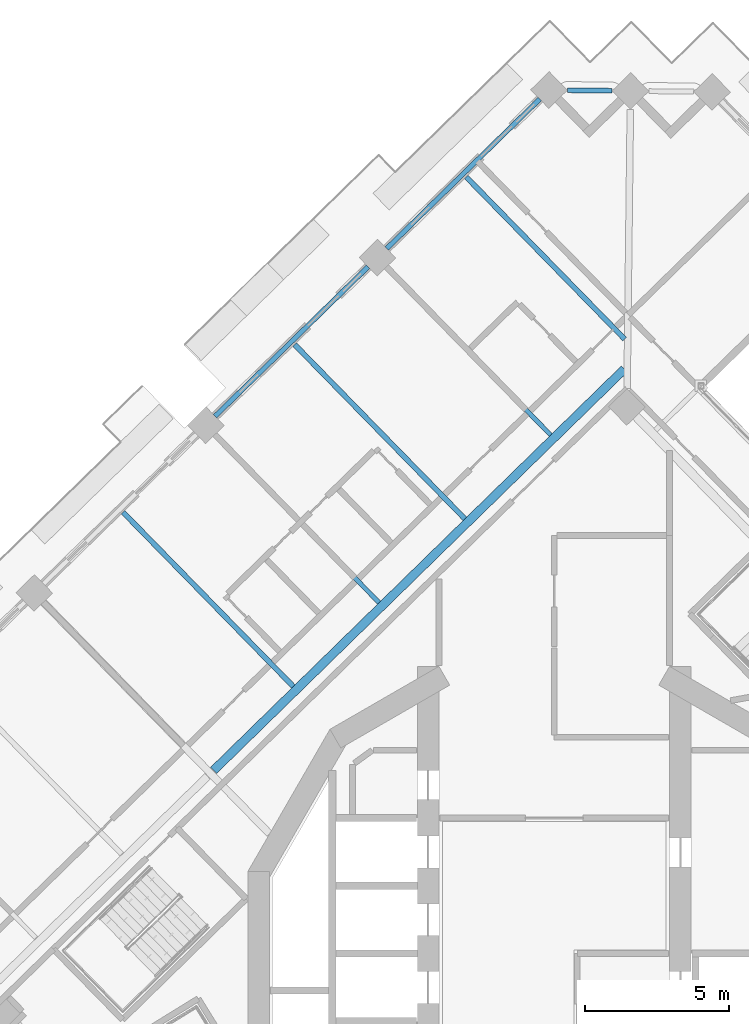
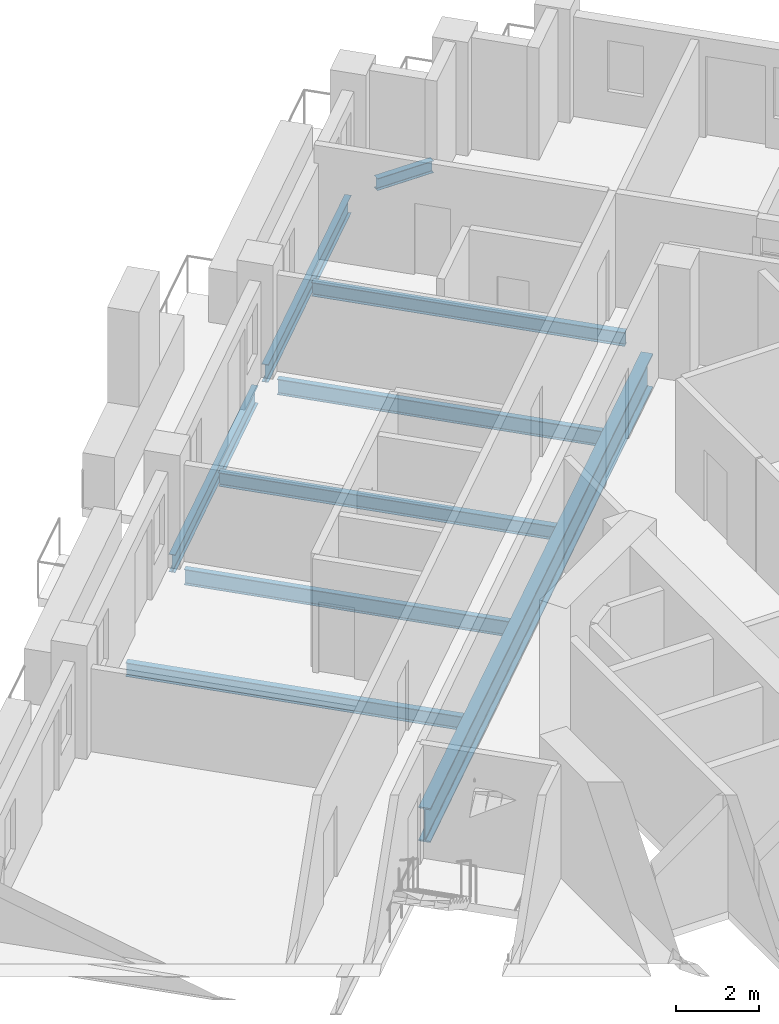
# One storey, part 2 of 20: 9 beams.
"""IFC4 building model written with IfcOpenShell, lengths in metres."""

from ifc_helpers import new_model, si_unit, direction, frame, origin, origin_2d, place, context, subcontext, project, spatial, i_section, extrude, material, material_profile, profile_set, type_object, element, save


model = new_model("IFC4")

# Units and contexts
model_context = context("Model", 3, precision=1e-05, world=origin(), true_north=direction((0.0, 1.0)))
body_context = subcontext(model_context, "Body", "Model", "MODEL_VIEW")
ifc_project = project(units=[si_unit("LENGTHUNIT", "METRE"), si_unit("AREAUNIT", "SQUARE_METRE"), si_unit("VOLUMEUNIT", "CUBIC_METRE"), si_unit("PLANEANGLEUNIT", "RADIAN"), si_unit("MASSUNIT", "GRAM", prefix="KILO")], contexts=[model_context])

# Site, building, storey
site_placement = place(None, origin())
site = spatial("IfcSite", under=ifc_project, at=site_placement, CompositionType="ELEMENT")
building_placement = place(site_placement, origin())
building = spatial("IfcBuilding", under=site, at=building_placement, Name="Cantera Rosa Tower", CompositionType="ELEMENT")
storey_placement = place(building_placement, frame((0.0, 0.0, 212.60009765625)))
storey = spatial("IfcBuildingStorey", under=building, at=storey_placement, Name="L45", CompositionType="ELEMENT", Elevation=212.60009765625)

# Beams
ifc_material_1 = material(Name="Steel ASTM A992 (Fy 345 MPa)", Category="steel")
ifc_material_profile_1 = material_profile(ifc_material_1, i_section(OverallWidth=0.302001953125, OverallDepth=1.010009765625, WebThickness=0.02099609375, FlangeThickness=0.0400390625, FilletRadius=0.030029296875, at=origin_2d()), Name="W1000X350")
ifc_profile_set_1 = profile_set([ifc_material_profile_1], Name="Steel ASTM A992 (Fy 345 MPa)")
beam_type_1 = type_object("IfcBeamType", Name="STEEL BEAM W1000X350", PredefinedType="BEAM", material=ifc_profile_set_1)
beam_1_placement = place(storey_placement, frame((-11.813232421875, 6.353271484375, -0.755126953125), z_axis=(0.715280810147, 0.698837150297, 0.0), x_axis=(-0.698837150297, 0.715280810147, 0.0)))
element("IfcBeam", 1, at=beam_1_placement, inside=storey, type_object=beam_type_1, Name="RB-Z4-02 L45", PredefinedType="BEAM", context=body_context, shape_type="SweptSolid", body=[
    extrude(i_section(OverallWidth=0.302001953125, OverallDepth=1.010009765625, WebThickness=0.02099609375, FlangeThickness=0.0400390625, FilletRadius=0.030029296875, at=origin_2d()), origin(), (0.0, 0.0, 1.0), 19.909912109375),
])
ifc_material_2 = material(Name="Steel ASTM A992 (Fy 345 MPa)", Category="steel")
ifc_material_profile_2 = material_profile(ifc_material_2, i_section(OverallWidth=0.154052734375, OverallDepth=0.4599609375, WebThickness=0.009033203125, FlangeThickness=0.015380859375, FilletRadius=0.01025390625, at=origin_2d()), Name="W460X68")
ifc_profile_set_2 = profile_set([ifc_material_profile_2], Name="Steel ASTM A992 (Fy 345 MPa)")
beam_type_2 = type_object("IfcBeamType", Name="STEEL BEAM W460X68", PredefinedType="BEAM", material=ifc_profile_set_2)
for number, where, z_axis, x_axis, name in (
    (2, (-5.818603515625, 23.81396484375, -0.47998046875), (0.698836133494, -0.715281803574, 0.0), (0.715281803574, 0.698836133494, 0.0), "G-Z4-05 L45"),
    (3, (-11.769775390625, 17.999755859375, -0.47998046875), (0.698836133494, -0.715281803574, 0.0), (0.715281803574, 0.698836133494, 0.0), "G-Z4-06 L45"),
):
    element("IfcBeam", number, at=place(storey_placement, frame(where, z_axis=z_axis, x_axis=x_axis)), inside=storey, type_object=beam_type_2, Name=name, PredefinedType="BEAM", context=body_context, shape_type="SweptSolid", body=[
        extrude(i_section(OverallWidth=0.154052734375, OverallDepth=0.4599609375, WebThickness=0.009033203125, FlangeThickness=0.015380859375, FilletRadius=0.01025390625, at=origin_2d()), origin(), (0.0, 0.0, 1.0), 8.150146484375),
    ])
ifc_material_3 = material(Name="Steel ASTM A992 (Fy 345 MPa)", Category="steel")
ifc_material_profile_3 = material_profile(ifc_material_3, i_section(OverallWidth=0.177978515625, OverallDepth=0.406005859375, WebThickness=0.0078125, FlangeThickness=0.0126953125, FilletRadius=0.01025390625, at=origin_2d()), Name="W410X60")
ifc_profile_set_3 = profile_set([ifc_material_profile_3], Name="Steel ASTM A992 (Fy 345 MPa)")
beam_type_3 = type_object("IfcBeamType", Name="STEEL JOIST W410X60", PredefinedType="JOIST", material=ifc_profile_set_3)
beam_2_placement = place(storey_placement, frame((-3.052734375, 26.935791015625, -0.453125), z_axis=(0.698827868311, -0.715289878631, 0.0), x_axis=(0.715289878631, 0.698827868311, 0.0)))
element("IfcBeam", 4, at=beam_2_placement, inside=storey, type_object=beam_type_3, Name="B-Z4-06 L45", PredefinedType="JOIST", context=body_context, shape_type="SweptSolid", body=[
    extrude(i_section(OverallWidth=0.177978515625, OverallDepth=0.406005859375, WebThickness=0.0078125, FlangeThickness=0.0126953125, FilletRadius=0.01025390625, at=origin_2d()), origin(), (0.0, 0.0, 1.0), 7.860107421875),
])
for number, where, z_axis, x_axis, name in (
    (5, (-9.00390625, 21.121337890625, -0.453125), (0.698839235604, -0.715278772774, 0.0), (0.715278772774, 0.698839235604, 0.0), "B-Z4-07 L45"),
    (6, (-14.955078125, 15.30712890625, -0.453125), (0.698839235604, -0.715278772774, 0.0), (0.715278772774, 0.698839235604, 0.0), "B-Z4-08 L45"),
):
    element("IfcBeam", number, at=place(storey_placement, frame(where, z_axis=z_axis, x_axis=x_axis)), inside=storey, type_object=beam_type_3, Name=name, PredefinedType="JOIST", context=body_context, shape_type="SweptSolid", body=[
        extrude(i_section(OverallWidth=0.177978515625, OverallDepth=0.406005859375, WebThickness=0.0078125, FlangeThickness=0.0126953125, FilletRadius=0.01025390625, at=origin_2d()), origin(), (0.0, 0.0, 1.0), 8.4501953125),
    ])
ifc_material_4 = material(Name="Steel ASTM A992 (Fy 345 MPa)", Category="steel")
ifc_material_profile_4 = material_profile(ifc_material_4, i_section(OverallWidth=0.1708984375, OverallDepth=0.35595703125, WebThickness=0.00732421875, FlangeThickness=0.01171875, FilletRadius=0.010009765625, at=origin_2d()), Name="W360X51")
ifc_profile_set_4 = profile_set([ifc_material_profile_4], Name="Steel ASTM A992 (Fy 345 MPa)")
beam_type_4 = type_object("IfcBeamType", Name="STEEL SPANDREL BEAM W360X51", PredefinedType="SPANDREL", material=ifc_profile_set_4)
beam_3_placement = place(storey_placement, frame((2.010009765625, 29.924560546875, -0.427978515625), z_axis=(-0.99993255119, 0.011614347636, 0.0), x_axis=(-0.011614347636, -0.99993255119, 0.0)))
element("IfcBeam", 7, at=beam_3_placement, inside=storey, type_object=beam_type_4, Name="EB-Z4-07 L45", PredefinedType="SPANDREL", context=body_context, shape_type="SweptSolid", body=[
    extrude(i_section(OverallWidth=0.1708984375, OverallDepth=0.35595703125, WebThickness=0.00732421875, FlangeThickness=0.01171875, FilletRadius=0.010009765625, at=origin_2d()), origin(), (0.0, 0.0, 1.0), 1.555419921875),
])
ifc_material_5 = material(Name="Steel ASTM A992 (Fy 345 MPa)", Category="steel")
ifc_material_profile_5 = material_profile(ifc_material_5, i_section(OverallWidth=0.166015625, OverallDepth=0.528076171875, WebThickness=0.009765625, FlangeThickness=0.013671875, FilletRadius=0.0126953125, at=origin_2d()), Name="W530X74")
ifc_profile_set_5 = profile_set([ifc_material_profile_5], Name="Steel ASTM A992 (Fy 345 MPa)")
beam_type_5 = type_object("IfcBeamType", Name="STEEL SPANDREL BEAM W530X74", PredefinedType="SPANDREL", material=ifc_profile_set_5)
beam_4_placement = place(storey_placement, frame((-0.503662109375, 29.6357421875, -0.51416015625), z_axis=(-0.715284379566, -0.698833496871, 0.0), x_axis=(0.698833496871, -0.715284379566, 0.0)))
element("IfcBeam", 8, at=beam_4_placement, inside=storey, type_object=beam_type_5, Name="EB-Z4-08 L45", PredefinedType="SPANDREL", context=body_context, shape_type="SweptSolid", body=[
    extrude(i_section(OverallWidth=0.166015625, OverallDepth=0.528076171875, WebThickness=0.009765625, FlangeThickness=0.013671875, FilletRadius=0.0126953125, at=origin_2d()), origin(), (0.0, 0.0, 1.0), 7.42041015625),
])
beam_5_placement = place(storey_placement, frame((-6.454833984375, 23.8212890625, -0.51416015625), z_axis=(-0.715300826176, -0.698816662703, 0.0), x_axis=(0.698816662703, -0.715300826176, 0.0)))
element("IfcBeam", 9, at=beam_5_placement, inside=storey, type_object=beam_type_5, Name="EB-Z4-09 L45", PredefinedType="SPANDREL", context=body_context, shape_type="SweptSolid", body=[
    extrude(i_section(OverallWidth=0.166015625, OverallDepth=0.528076171875, WebThickness=0.009765625, FlangeThickness=0.013671875, FilletRadius=0.0126953125, at=origin_2d()), origin(), (0.0, 0.0, 1.0), 7.420166015625),
])

save(model, "model.ifc")
